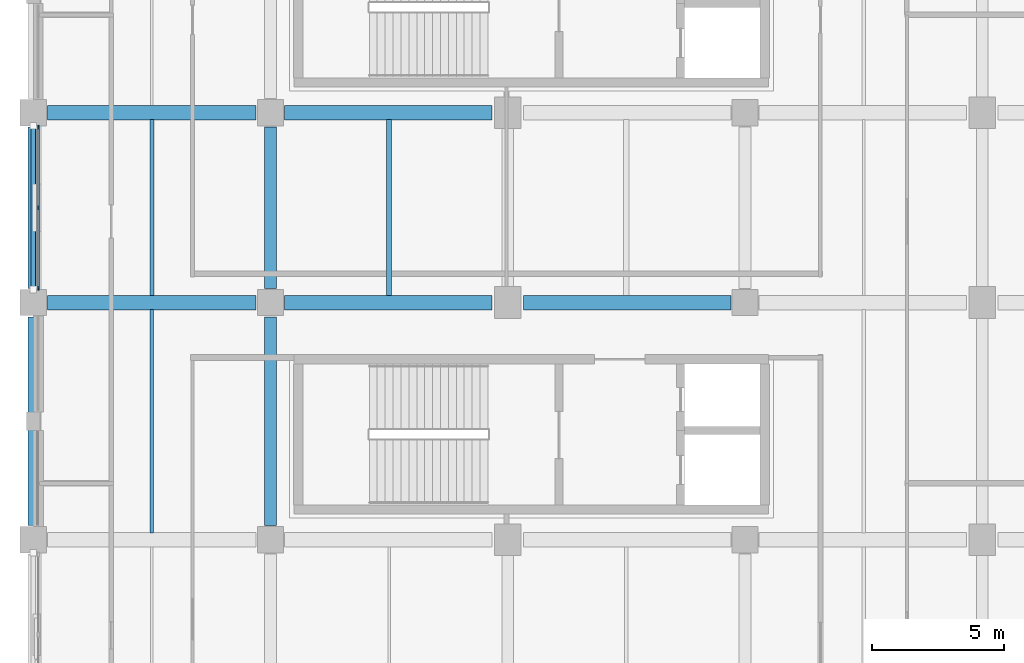
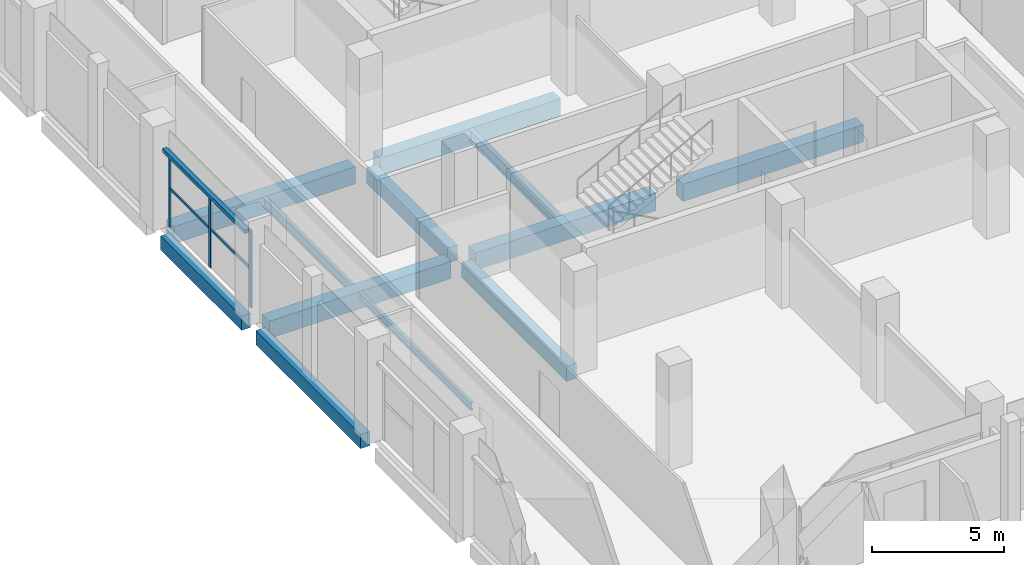
# One storey, part 10 of 111: 12 beams, 6 members, 1 element without a shape of its own.
"""IFC4 building model written with IfcOpenShell, lengths in metres."""

from ifc_helpers import new_model, si_unit, direction, frame, origin, origin_2d, place, context, subcontext, project, spatial, rectangle, hollow_rectangle, i_section, extrude, material, material_profile, profile_set, type_object, element, aggregate, save


model = new_model("IFC4")

# Units and contexts
model_context = context("Model", 3, precision=1e-05, world=origin(), true_north=direction((0.0, 1.0)))
body_context = subcontext(model_context, "Body", "Model", "MODEL_VIEW")
ifc_project = project(units=[si_unit("LENGTHUNIT", "METRE"), si_unit("AREAUNIT", "SQUARE_METRE"), si_unit("VOLUMEUNIT", "CUBIC_METRE"), si_unit("PLANEANGLEUNIT", "RADIAN"), si_unit("MASSUNIT", "GRAM", prefix="KILO"), si_unit("THERMODYNAMICTEMPERATUREUNIT", "KELVIN"), si_unit("POWERUNIT", "WATT")], contexts=[model_context])

# Site, building, storey
site_placement = place(None, origin())
site = spatial("IfcSite", under=ifc_project, at=site_placement, CompositionType="ELEMENT")
building_placement = place(site_placement, origin())
building = spatial("IfcBuilding", under=site, at=building_placement, Name="Sindhuravela Promenade Stadium", CompositionType="ELEMENT")
storey_placement = place(building_placement, frame((0.0, 0.0, 9.60009765625)))
storey = spatial("IfcBuildingStorey", under=building, at=storey_placement, Name="L02", CompositionType="ELEMENT", Elevation=9.60009765625)

# Curtain wall, members
ifc_material_1 = material(Name="Anodised architectural aluminium 6063-T6", Category="aluminium")
curtain_wall_type = type_object("IfcCurtainWallType", Name="CW-MOD-8", PredefinedType="NOTDEFINED", material=ifc_material_1)
curtain_wall_placement = place(storey_placement, origin())
curtain_wall = element("IfcCurtainWall", 1, at=curtain_wall_placement, inside=storey, type_object=curtain_wall_type, Name="Bronze curtain wall CW-WEST-L02-007", PredefinedType="NOTDEFINED")
ifc_material_profile_1 = material_profile(ifc_material_1, rectangle(XDim=0.06494140625, YDim=0.14990234375, at=origin_2d()), Name="ALU MULL 65x150")
ifc_profile_set_1 = profile_set([ifc_material_profile_1], Name="Anodised architectural aluminium 6063-T6")
member_type_1 = type_object("IfcMemberType", Name="CW-MUL-2", PredefinedType="MULLION", material=ifc_profile_set_1)
member_1_placement = place(storey_placement, frame((0.199951171875, 61.75, 0.0), z_axis=(0.0, 0.0, 1.0), x_axis=(1.0, 0.0, 0.0)))
member_1 = element("IfcMember", 2, at=member_1_placement, type_object=member_type_1, Name="Curtain wall mullion CW-WEST-L02-007-M1", PredefinedType="MULLION", context=body_context, shape_type="SweptSolid", body=[
    extrude(rectangle(XDim=0.06494140625, YDim=0.14990234375, at=origin_2d()), origin(), (0.0, 0.0, 1.0), 3.579833984375),
])
member_2_placement = place(storey_placement, frame((0.199951171875, 64.800048828125, 0.0), z_axis=(0.0, 0.0, 1.0), x_axis=(1.0, 0.0, 0.0)))
member_2 = element("IfcMember", 3, at=member_2_placement, type_object=member_type_1, Name="Curtain wall mullion CW-WEST-L02-007-M2", PredefinedType="MULLION", context=body_context, shape_type="SweptSolid", body=[
    extrude(rectangle(XDim=0.06494140625, YDim=0.14990234375, at=origin_2d()), origin(), (0.0, 0.0, 1.0), 3.579833984375),
])
member_3_placement = place(storey_placement, frame((0.199951171875, 67.85009765625, 0.0), z_axis=(0.0, 0.0, 1.0), x_axis=(1.0, 0.0, 0.0)))
member_3 = element("IfcMember", 4, at=member_3_placement, type_object=member_type_1, Name="Curtain wall mullion CW-WEST-L02-007-M3", PredefinedType="MULLION", context=body_context, shape_type="SweptSolid", body=[
    extrude(rectangle(XDim=0.06494140625, YDim=0.14990234375, at=origin_2d()), origin(), (0.0, 0.0, 1.0), 3.579833984375),
])
ifc_material_profile_2 = material_profile(ifc_material_1, rectangle(XDim=0.06494140625, YDim=0.125, at=origin_2d()), Name="ALU TRAN 65x125")
ifc_profile_set_2 = profile_set([ifc_material_profile_2], Name="Anodised architectural aluminium 6063-T6")
member_type_2 = type_object("IfcMemberType", Name="CW-TRN-2", PredefinedType="USERDEFINED", material=ifc_profile_set_2)
member_4_placement = place(storey_placement, frame((0.199951171875, 61.72509765625, 1.789794921875), z_axis=(0.0, 1.0, 0.0), x_axis=(-1.0, 0.0, 0.0)))
member_4 = element("IfcMember", 5, at=member_4_placement, type_object=member_type_2, Name="Curtain wall transom CW-WEST-L02-007-T1", ObjectType="TRANSOM", PredefinedType="USERDEFINED", context=body_context, shape_type="SweptSolid", body=[
    extrude(rectangle(XDim=0.06494140625, YDim=0.125, at=origin_2d()), origin(), (0.0, 0.0, 1.0), 6.14990234375),
])
member_5_placement = place(storey_placement, frame((0.199951171875, 61.72509765625, 3.5), z_axis=(0.0, 1.0, 0.0), x_axis=(-1.0, 0.0, 0.0)))
member_5 = element("IfcMember", 6, at=member_5_placement, type_object=member_type_2, Name="Curtain wall transom CW-WEST-L02-007-T2", ObjectType="TRANSOM", PredefinedType="USERDEFINED", context=body_context, shape_type="SweptSolid", body=[
    extrude(rectangle(XDim=0.06494140625, YDim=0.125, at=origin_2d()), origin(), (0.0, 0.0, 1.0), 6.14990234375),
])
aggregate(curtain_wall, [member_1, member_2, member_3, member_4, member_5])

# Beams
ifc_material_2 = material(Name="Concrete M40", Category="concrete")
ifc_material_profile_3 = material_profile(ifc_material_2, rectangle(XDim=0.39990234375, YDim=0.64990234375, at=origin_2d()), Name="RC 400x650")
ifc_profile_set_3 = profile_set([ifc_material_profile_3], Name="Concrete M40")
beam_type_1 = type_object("IfcBeamType", Name="RC-BM-400x650", PredefinedType="SPANDREL", material=ifc_profile_set_3)
beam_1_placement = place(storey_placement, frame((0.0, 52.739990234375, -0.60498046875), z_axis=(0.0, 1.0, 0.0), x_axis=(-1.0, 0.0, 0.0)))
element("IfcBeam", 7, at=beam_1_placement, inside=storey, type_object=beam_type_1, Name="Primary beam SP01 WEST L02", PredefinedType="SPANDREL", context=body_context, shape_type="SweptSolid", body=[
    extrude(rectangle(XDim=0.39990234375, YDim=0.64990234375, at=origin_2d()), origin(), (0.0, 0.0, 1.0), 7.919921875),
])
beam_2_placement = place(storey_placement, frame((0.0, 61.739990234375, -0.60498046875), z_axis=(0.0, 1.0, 0.0), x_axis=(-1.0, 0.0, 0.0)))
element("IfcBeam", 8, at=beam_2_placement, inside=storey, type_object=beam_type_1, Name="Primary beam SP01 WEST L02", PredefinedType="SPANDREL", context=body_context, shape_type="SweptSolid", body=[
    extrude(rectangle(XDim=0.39990234375, YDim=0.64990234375, at=origin_2d()), origin(), (0.0, 0.0, 1.0), 6.1201171875),
])
ifc_material_profile_4 = material_profile(ifc_material_2, rectangle(XDim=0.449951171875, YDim=0.699951171875, at=origin_2d()), Name="RC 450x700")
ifc_profile_set_4 = profile_set([ifc_material_profile_4], Name="Concrete M40")
beam_type_2 = type_object("IfcBeamType", Name="RC-BM-450x700", PredefinedType="BEAM", material=ifc_profile_set_4)
beam_3_placement = place(storey_placement, frame((9.0, 52.739990234375, -0.630126953125), z_axis=(0.0, 1.0, 0.0), x_axis=(-1.0, 0.0, 0.0)))
element("IfcBeam", 9, at=beam_3_placement, inside=storey, type_object=beam_type_2, Name="Primary beam GB07 WEST L02", PredefinedType="BEAM", context=body_context, shape_type="SweptSolid", body=[
    extrude(rectangle(XDim=0.449951171875, YDim=0.699951171875, at=origin_2d()), origin(), (0.0, 0.0, 1.0), 7.919921875),
])
beam_4_placement = place(storey_placement, frame((9.0, 61.739990234375, -0.630126953125), z_axis=(0.0, 1.0, 0.0), x_axis=(-1.0, 0.0, 0.0)))
element("IfcBeam", 10, at=beam_4_placement, inside=storey, type_object=beam_type_2, Name="Primary beam GB07 WEST L02", PredefinedType="BEAM", context=body_context, shape_type="SweptSolid", body=[
    extrude(rectangle(XDim=0.449951171875, YDim=0.699951171875, at=origin_2d()), origin(), (0.0, 0.0, 1.0), 6.1201171875),
])
ifc_material_profile_5 = material_profile(ifc_material_2, rectangle(XDim=0.550048828125, YDim=0.800048828125, at=origin_2d()), Name="RC 550x800")
ifc_profile_set_5 = profile_set([ifc_material_profile_5], Name="Concrete M40")
beam_type_3 = type_object("IfcBeamType", Name="RC-BM-550x800", PredefinedType="BEAM", material=ifc_profile_set_5)
beam_5_placement = place(storey_placement, frame((0.5400390625, 61.199951171875, -0.68017578125), z_axis=(1.0, 0.0, 0.0), x_axis=(0.0, 1.0, 0.0)))
element("IfcBeam", 11, at=beam_5_placement, inside=storey, type_object=beam_type_3, Name="Primary girder GB05 WEST L02", PredefinedType="BEAM", context=body_context, shape_type="SweptSolid", body=[
    extrude(rectangle(XDim=0.550048828125, YDim=0.800048828125, at=origin_2d()), origin(), (0.0, 0.0, 1.0), 7.919921875),
])
for number, where, z_axis, x_axis, name in (
    (12, (9.5400390625, 61.199951171875, -0.68017578125), (1.0, 0.0, 0.0), (0.0, 1.0, 0.0), "Primary girder GB05 WEST L02"),
    (13, (18.590087890625, 61.199951171875, -0.68017578125), (1.0, 0.0, 0.0), (0.0, 1.0, 0.0), "Primary girder GB05 WEST L02"),
):
    element("IfcBeam", number, at=place(storey_placement, frame(where, z_axis=z_axis, x_axis=x_axis)), inside=storey, type_object=beam_type_3, Name=name, PredefinedType="BEAM", context=body_context, shape_type="SweptSolid", body=[
        extrude(rectangle(XDim=0.550048828125, YDim=0.800048828125, at=origin_2d()), origin(), (0.0, 0.0, 1.0), 7.869873046875),
    ])
beam_6_placement = place(storey_placement, frame((0.5400390625, 68.39990234375, -0.68017578125), z_axis=(1.0, 0.0, 0.0), x_axis=(0.0, 1.0, 0.0)))
element("IfcBeam", 14, at=beam_6_placement, inside=storey, type_object=beam_type_3, Name="Primary girder GB05 WEST L02", PredefinedType="BEAM", context=body_context, shape_type="SweptSolid", body=[
    extrude(rectangle(XDim=0.550048828125, YDim=0.800048828125, at=origin_2d()), origin(), (0.0, 0.0, 1.0), 7.919921875),
])
beam_7_placement = place(storey_placement, frame((9.5400390625, 68.39990234375, -0.68017578125), z_axis=(1.0, 0.0, 0.0), x_axis=(0.0, 1.0, 0.0)))
element("IfcBeam", 15, at=beam_7_placement, inside=storey, type_object=beam_type_3, Name="Primary girder GB05 WEST L02", PredefinedType="BEAM", context=body_context, shape_type="SweptSolid", body=[
    extrude(rectangle(XDim=0.550048828125, YDim=0.800048828125, at=origin_2d()), origin(), (0.0, 0.0, 1.0), 7.869873046875),
])
ifc_material_3 = material(Name="Steel E350 (IS 2062 E350BR)", Category="steel")
ifc_material_profile_6 = material_profile(ifc_material_3, i_section(OverallWidth=0.139892578125, OverallDepth=0.35009765625, WebThickness=0.008056640625, FlangeThickness=0.01416015625, FilletRadius=0.013916015625, at=origin_2d()), Name="ISMB 350")
ifc_profile_set_6 = profile_set([ifc_material_profile_6], Name="Steel E350 (IS 2062 E350BR)")
beam_type_4 = type_object("IfcBeamType", Name="ST-BM-MB350", PredefinedType="JOIST", material=ifc_profile_set_6)
beam_8_placement = place(storey_placement, frame((4.5, 52.465087890625, -0.455078125), z_axis=(0.0, 1.0, 0.0), x_axis=(-1.0, 0.0, 0.0)))
element("IfcBeam", 16, at=beam_8_placement, inside=storey, type_object=beam_type_4, Name="Secondary floor joist SB04 WEST L02", PredefinedType="JOIST", context=body_context, shape_type="SweptSolid", body=[
    extrude(i_section(OverallWidth=0.139892578125, OverallDepth=0.35009765625, WebThickness=0.008056640625, FlangeThickness=0.01416015625, FilletRadius=0.013916015625, at=origin_2d()), origin(), (0.0, 0.0, 1.0), 8.469970703125),
])
ifc_material_profile_7 = material_profile(ifc_material_3, i_section(OverallWidth=0.14990234375, OverallDepth=0.449951171875, WebThickness=0.009521484375, FlangeThickness=0.017333984375, FilletRadius=0.014892578125, at=origin_2d()), Name="ISMB 450")
ifc_profile_set_7 = profile_set([ifc_material_profile_7], Name="Steel E350 (IS 2062 E350BR)")
beam_type_5 = type_object("IfcBeamType", Name="ST-BM-MB450", PredefinedType="BEAM", material=ifc_profile_set_7)
beam_9_placement = place(storey_placement, frame((4.5, 61.465087890625, -0.505126953125), z_axis=(0.0, 1.0, 0.0), x_axis=(-1.0, 0.0, 0.0)))
element("IfcBeam", 17, at=beam_9_placement, inside=storey, type_object=beam_type_5, Name="Secondary floor joist SB06 WEST L02", PredefinedType="BEAM", context=body_context, shape_type="SweptSolid", body=[
    extrude(i_section(OverallWidth=0.14990234375, OverallDepth=0.449951171875, WebThickness=0.009521484375, FlangeThickness=0.017333984375, FilletRadius=0.014892578125, at=origin_2d()), origin(), (0.0, 0.0, 1.0), 6.669921875),
])
ifc_material_profile_8 = material_profile(ifc_material_3, i_section(OverallWidth=0.18994140625, OverallDepth=0.550048828125, WebThickness=0.01123046875, FlangeThickness=0.019287109375, FilletRadius=0.01806640625, at=origin_2d()), Name="ISMB 550")
ifc_profile_set_8 = profile_set([ifc_material_profile_8], Name="Steel E350 (IS 2062 E350BR)")
beam_type_6 = type_object("IfcBeamType", Name="ST-BM-MB550", PredefinedType="SPANDREL", material=ifc_profile_set_8)
beam_10_placement = place(storey_placement, frame((13.5, 61.465087890625, -0.55517578125), z_axis=(0.0, 1.0, 0.0), x_axis=(-1.0, 0.0, 0.0)))
element("IfcBeam", 18, at=beam_10_placement, inside=storey, type_object=beam_type_6, Name="Secondary floor joist SB08 WEST L02", PredefinedType="SPANDREL", context=body_context, shape_type="SweptSolid", body=[
    extrude(i_section(OverallWidth=0.18994140625, OverallDepth=0.550048828125, WebThickness=0.01123046875, FlangeThickness=0.019287109375, FilletRadius=0.01806640625, at=origin_2d()), origin(), (0.0, 0.0, 1.0), 6.669921875),
])

# Member
ifc_material_profile_9 = material_profile(ifc_material_3, hollow_rectangle(XDim=0.179931640625, YDim=0.179931640625, WallThickness=0.010009765625, at=origin_2d()), Name="SHS 180x180x10")
ifc_profile_set_9 = profile_set([ifc_material_profile_9], Name="Steel E350 (IS 2062 E350BR)")
member_type_3 = type_object("IfcMemberType", Name="ST-MB-SHS180", PredefinedType="BRACE", material=ifc_profile_set_9)
member_6_placement = place(storey_placement, frame((0.0, 61.69189453125, 3.599853515625), z_axis=(0.0, 1.0, 0.0), x_axis=(-1.0, 0.0, 0.0)))
element("IfcMember", 19, at=member_6_placement, inside=storey, type_object=member_type_3, Name="Portal tie member MB02-2", PredefinedType="BRACE", context=body_context, shape_type="SweptSolid", body=[
    extrude(hollow_rectangle(XDim=0.179931640625, YDim=0.179931640625, WallThickness=0.010009765625, at=origin_2d()), origin(), (0.0, 0.0, 1.0), 6.216064453125),
])

save(model, "model.ifc")
